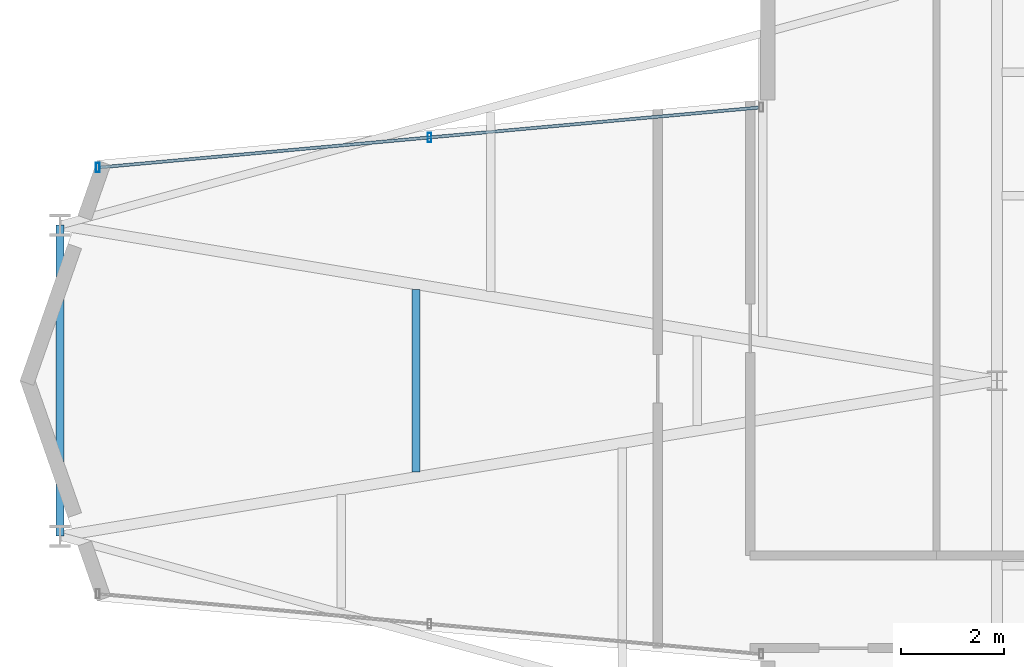
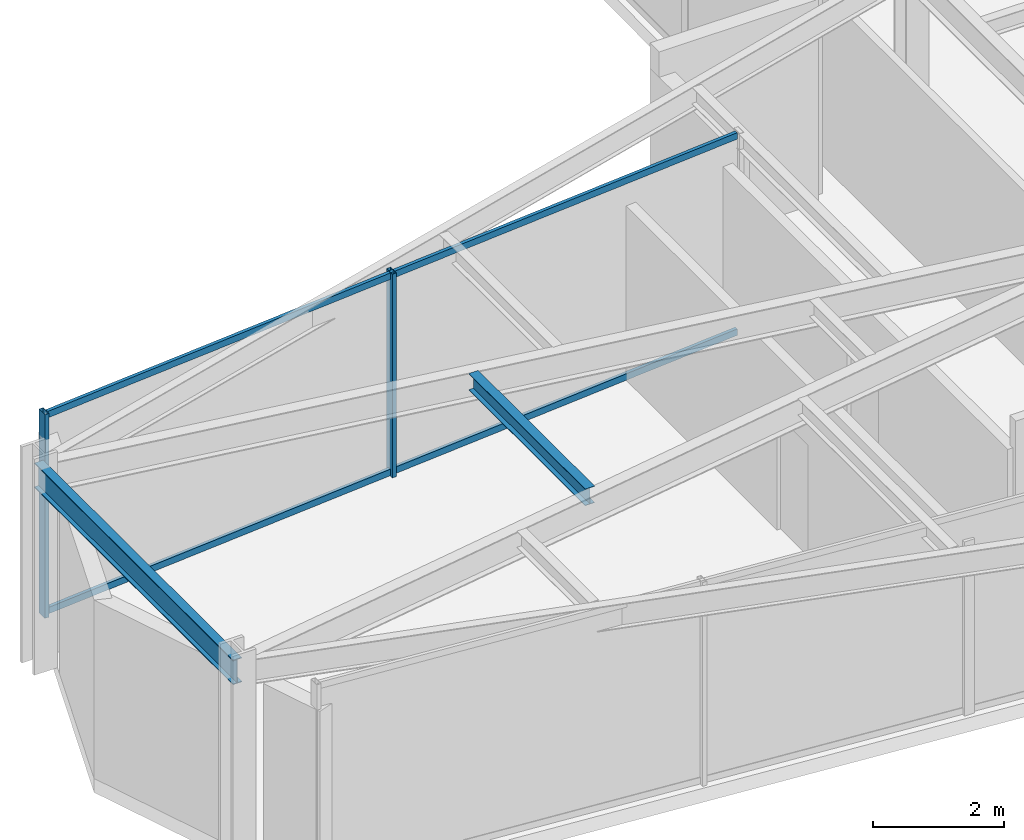
# One storey, part 9 of 23: 4 members, 2 beams, 1 element without a shape of its own.
"""IFC4 building model written with IfcOpenShell, lengths in metres."""

from ifc_helpers import new_model, si_unit, direction, frame, origin, origin_2d, place, context, subcontext, project, spatial, hollow_rectangle, i_section, extrude, material, layer, layer_set, material_profile, profile_set, type_object, element, aggregate, save


model = new_model("IFC4")

# Units and contexts
model_context = context("Model", 3, precision=1e-05, world=origin(), true_north=direction((0.0, 1.0)))
body_context = subcontext(model_context, "Body", "Model", "MODEL_VIEW")
ifc_project = project(units=[si_unit("LENGTHUNIT", "METRE"), si_unit("AREAUNIT", "SQUARE_METRE"), si_unit("VOLUMEUNIT", "CUBIC_METRE"), si_unit("PLANEANGLEUNIT", "RADIAN"), si_unit("MASSUNIT", "GRAM", prefix="KILO")], contexts=[model_context])

# Site, building, storey
site_placement = place(None, origin())
site = spatial("IfcSite", under=ifc_project, at=site_placement, CompositionType="ELEMENT")
building_placement = place(site_placement, origin())
building = spatial("IfcBuilding", under=site, at=building_placement, Name="Veymaron Broadcast Tower", CompositionType="ELEMENT")
storey_placement = place(building_placement, frame((0.0, 0.0, 191.85009765625)))
storey = spatial("IfcBuildingStorey", under=building, at=storey_placement, Name="L44", CompositionType="ELEMENT", Elevation=191.85009765625)

# Beams
ifc_material_1 = material(Name="Structural steel ASTM A992 Gr 50", Category="steel")
ifc_material_profile_1 = material_profile(ifc_material_1, i_section(OverallWidth=0.1650390625, OverallDepth=0.31005859375, WebThickness=0.005859375, FlangeThickness=0.009765625, at=origin_2d()), Name="W310X39")
ifc_profile_set_1 = profile_set([ifc_material_profile_1], Name="Structural steel ASTM A992 Gr 50")
beam_type_1 = type_object("IfcBeamType", Name="BM-JS3", PredefinedType="JOIST", material=ifc_profile_set_1)
beam_1_placement = place(storey_placement, frame((19.900390625, 22.224609375, 3.635009765625), z_axis=(0.0, 1.0, 0.0), x_axis=(-1.0, 0.0, 0.0)))
element("IfcBeam", 1, at=beam_1_placement, inside=storey, type_object=beam_type_1, Name="L44 Arm-A secondary joist 1M", PredefinedType="JOIST", context=body_context, shape_type="SweptSolid", body=[
    extrude(i_section(OverallWidth=0.1650390625, OverallDepth=0.31005859375, WebThickness=0.005859375, FlangeThickness=0.009765625, at=origin_2d()), origin(), (0.0, 0.0, 1.0), 3.55078125),
])
ifc_material_profile_2 = material_profile(ifc_material_1, i_section(OverallWidth=0.154052734375, OverallDepth=0.458984375, WebThickness=0.009033203125, FlangeThickness=0.015380859375, at=origin_2d()), Name="W460X68")
ifc_profile_set_2 = profile_set([ifc_material_profile_2], Name="Structural steel ASTM A992 Gr 50")
beam_type_2 = type_object("IfcBeamType", Name="BM-SP2", PredefinedType="SPANDREL", material=ifc_profile_set_2)
beam_2_placement = place(storey_placement, frame((12.97509765625, 20.97509765625, 3.560302734375), z_axis=(0.0, 1.0, 0.0), x_axis=(-1.0, 0.0, 0.0)))
element("IfcBeam", 2, at=beam_2_placement, inside=storey, type_object=beam_type_2, Name="L44 primary structural floor girder", PredefinedType="SPANDREL", context=body_context, shape_type="SweptSolid", body=[
    extrude(i_section(OverallWidth=0.154052734375, OverallDepth=0.458984375, WebThickness=0.009033203125, FlangeThickness=0.015380859375, at=origin_2d()), origin(), (0.0, 0.0, 1.0), 6.0498046875),
])

# Curtain wall, members
ifc_material_2 = material(Name="Anodised aluminium AA 6063-T6 and laminated low-E dark glass", Category="aluminium")
ifc_layer = layer(ifc_material_2, 0.179931640625)
ifc_layer_set = layer_set([ifc_layer], Name="Anodised aluminium AA 6063-T6 and laminated low-E dark glass")
curtain_wall_type = type_object("IfcCurtainWallType", Name="CW-SYS-05", PredefinedType="NOTDEFINED", material=ifc_layer_set)
curtain_wall_placement = place(storey_placement, origin())
curtain_wall = element("IfcCurtainWall", 3, at=curtain_wall_placement, inside=storey, type_object=curtain_wall_type, Name="L44 dark-glass curtain wall CW-L44-E11-1", PredefinedType="NOTDEFINED")
ifc_material_3 = material(Name="Anodised aluminium AA 6063-T6", Category="aluminium")
ifc_material_profile_3 = material_profile(ifc_material_3, hollow_rectangle(XDim=0.074951171875, YDim=0.179931640625, WallThickness=0.0048828125, at=origin_2d()), Name="AL180X75X5")
ifc_profile_set_3 = profile_set([ifc_material_profile_3], Name="Anodised aluminium AA 6063-T6")
member_type_1 = type_object("IfcMemberType", Name="CW-MUL-02", PredefinedType="MULLION", material=ifc_profile_set_3)
member_1_placement = place(storey_placement, frame((20.16259765625, 28.729736328125, 0.0), z_axis=(0.0, 0.0, 1.0), x_axis=(1.0, 0.0, 0.0)))
member_1 = element("IfcMember", 4, at=member_1_placement, type_object=member_type_1, Name="CW-L44-E11-1 mullion 1", PredefinedType="MULLION", context=body_context, shape_type="SweptSolid", body=[
    extrude(hollow_rectangle(XDim=0.074951171875, YDim=0.179931640625, WallThickness=0.0048828125, at=origin_2d()), origin(), (0.0, 0.0, 1.0), 3.789794921875),
])
member_2_placement = place(storey_placement, frame((13.712646484375, 28.14404296875, 0.0), z_axis=(0.0, 0.0, 1.0), x_axis=(1.0, 0.0, 0.0)))
member_2 = element("IfcMember", 5, at=member_2_placement, type_object=member_type_1, Name="CW-L44-E11-1 mullion 2", PredefinedType="MULLION", context=body_context, shape_type="SweptSolid", body=[
    extrude(hollow_rectangle(XDim=0.074951171875, YDim=0.179931640625, WallThickness=0.0048828125, at=origin_2d()), origin(), (0.0, 0.0, 1.0), 3.789794921875),
])
ifc_material_profile_4 = material_profile(ifc_material_3, hollow_rectangle(XDim=0.06005859375, YDim=0.1201171875, WallThickness=0.00390625, at=origin_2d()), Name="AL120X60X4")
ifc_profile_set_4 = profile_set([ifc_material_profile_4], Name="Anodised aluminium AA 6063-T6")
member_type_2 = type_object("IfcMemberType", Name="CW-TRN-02", PredefinedType="USERDEFINED", material=ifc_profile_set_4)
member_3_placement = place(storey_placement, frame((26.56298828125, 29.310791015625, 0.06982421875), z_axis=(-0.995904253261, -0.090414148987, 0.0), x_axis=(0.090414148987, -0.995904253261, 0.0)))
member_3 = element("IfcMember", 6, at=member_3_placement, type_object=member_type_2, Name="CW-L44-E11-1 transom B", ObjectType="TRANSOM", PredefinedType="USERDEFINED", context=body_context, shape_type="SweptSolid", body=[
    extrude(hollow_rectangle(XDim=0.06005859375, YDim=0.1201171875, WallThickness=0.00390625, at=origin_2d()), origin(), (0.0, 0.0, 1.0), 12.853271484375),
])
member_4_placement = place(storey_placement, frame((26.56298828125, 29.310791015625, 3.719970703125), z_axis=(-0.995904253261, -0.090414148987, 0.0), x_axis=(0.090414148987, -0.995904253261, 0.0)))
member_4 = element("IfcMember", 7, at=member_4_placement, type_object=member_type_2, Name="CW-L44-E11-1 transom T", ObjectType="TRANSOM", PredefinedType="USERDEFINED", context=body_context, shape_type="SweptSolid", body=[
    extrude(hollow_rectangle(XDim=0.06005859375, YDim=0.1201171875, WallThickness=0.00390625, at=origin_2d()), origin(), (0.0, 0.0, 1.0), 12.853271484375),
])
aggregate(curtain_wall, [member_1, member_2, member_3, member_4])

save(model, "model.ifc")
